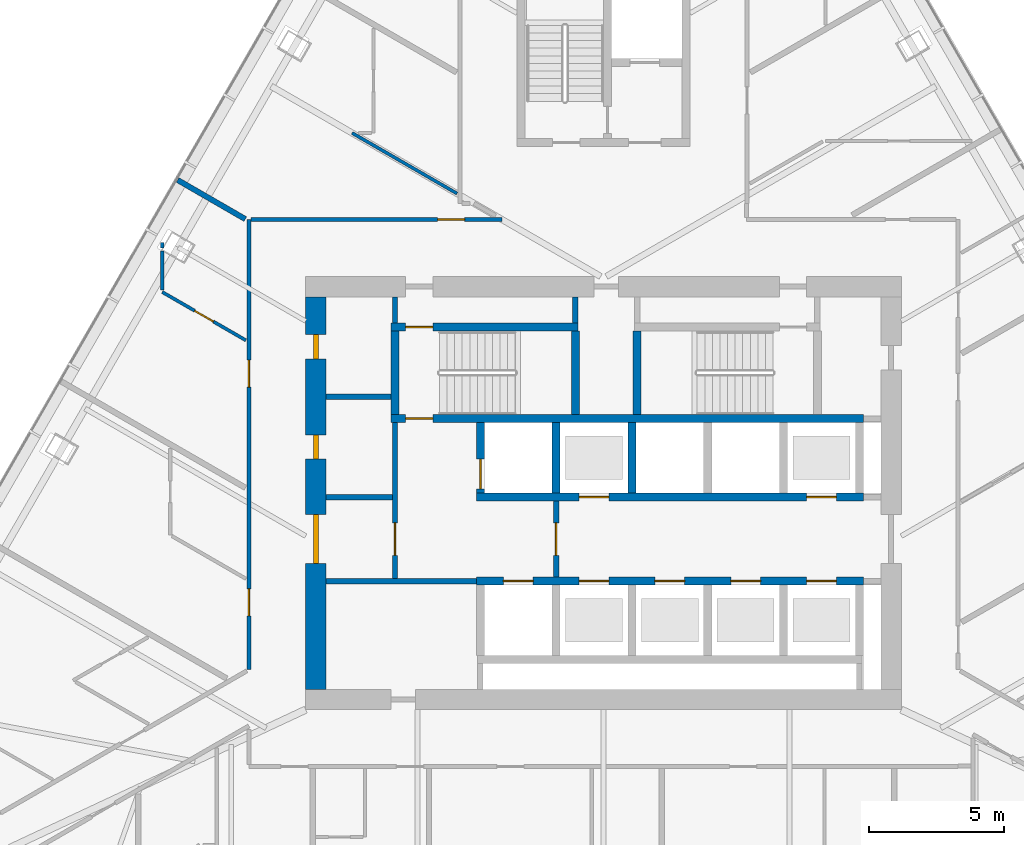
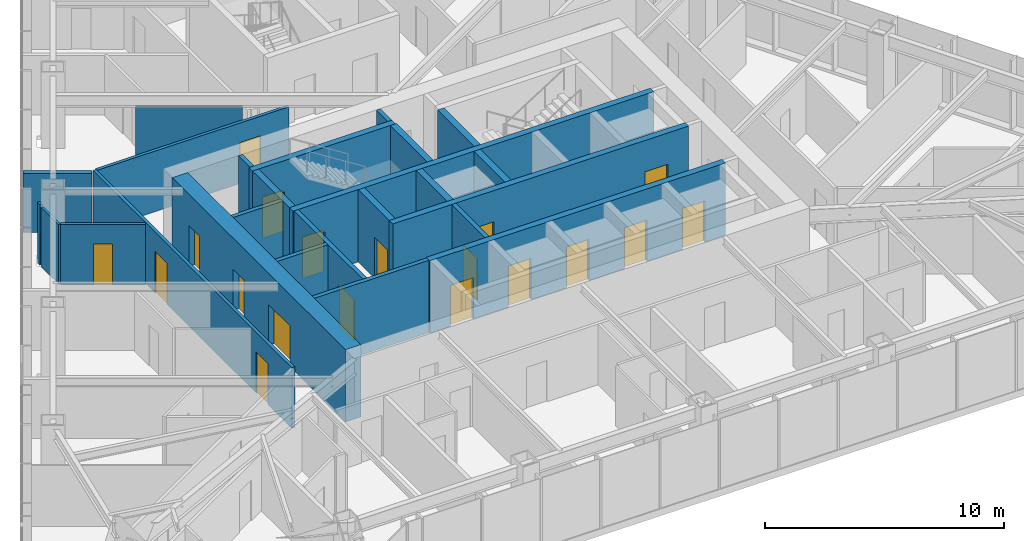
# One storey, part 11 of 16: 25 walls, 19 doors, 19 openings.
"""IFC4 building model written with IfcOpenShell, lengths in metres."""

from ifc_helpers import new_model, si_unit, direction, frame, frame_2d, origin, place, context, subcontext, project, spatial, rectangle, extrude, material, layer, layer_set, type_object, element, fill, save


model = new_model("IFC4")

# Units and contexts
model_context = context("Model", 3, precision=1e-05, world=origin(), true_north=direction((0.0, 1.0)))
body_context = subcontext(model_context, "Body", "Model", "MODEL_VIEW")
ifc_project = project(units=[si_unit("LENGTHUNIT", "METRE"), si_unit("AREAUNIT", "SQUARE_METRE"), si_unit("VOLUMEUNIT", "CUBIC_METRE"), si_unit("PLANEANGLEUNIT", "RADIAN"), si_unit("MASSUNIT", "GRAM", prefix="KILO")], contexts=[model_context])

# Site, building, storey
site_placement = place(None, origin())
site = spatial("IfcSite", under=ifc_project, at=site_placement, CompositionType="ELEMENT")
building_placement = place(site_placement, origin())
building = spatial("IfcBuilding", under=site, at=building_placement, Name="Firuza Gate Tower and Library", CompositionType="ELEMENT")
storey_placement = place(building_placement, frame((0.0, 0.0, 198.699951171875)))
storey = spatial("IfcBuildingStorey", under=building, at=storey_placement, Name="L46", CompositionType="ELEMENT", Elevation=198.699951171875)

# Walls
ifc_material_1 = material(Name="Plasterboard on steel studs", Category="steel")
ifc_layer_1 = layer(ifc_material_1, 0.199951171875)
ifc_layer_set_1 = layer_set([ifc_layer_1], Name="Core partition 200 EI 120")
wall_type_1 = type_object("IfcWallType", Name="Core partition 200 EI 120", PredefinedType="PARTITIONING", material=ifc_layer_set_1)
wall_1_placement = place(storey_placement, frame((64.75, 71.75, 0.0), z_axis=(0.0, 0.0, 1.0), x_axis=(1.0, 0.0, 0.0)))
element("IfcWall", 1, at=wall_1_placement, inside=storey, type_object=wall_type_1, Name="Core partition L46 1", PredefinedType="PARTITIONING", context=body_context, shape_type="SweptSolid", body=[
    extrude(rectangle(XDim=5.550048828125, YDim=0.199951171875, at=frame_2d((2.77490234375, 0.0))), origin(), (0.0, 0.0, 1.0), 3.699951171875),
])
ifc_material_2 = material(Name="Plasterboard on steel studs", Category="steel")
ifc_layer_2 = layer(ifc_material_2, 0.199951171875)
ifc_layer_set_2 = layer_set([ifc_layer_2], Name="Core partition 200 EI 60")
wall_type_2 = type_object("IfcWallType", Name="Core partition 200 EI 60", PredefinedType="PARTITIONING", material=ifc_layer_set_2)
wall_2_placement = place(storey_placement, frame((64.75, 74.85009765625, 0.0), z_axis=(0.0, 0.0, 1.0), x_axis=(1.0, 0.0, 0.0)))
element("IfcWall", 2, at=wall_2_placement, inside=storey, type_object=wall_type_2, Name="Core partition L46 3", PredefinedType="PARTITIONING", context=body_context, shape_type="SweptSolid", body=[
    extrude(rectangle(XDim=2.449951171875, YDim=0.199951171875, at=frame_2d((1.22509765625, 0.0))), origin(), (0.0, 0.0, 1.0), 3.699951171875),
])
wall_3_placement = place(storey_placement, frame((64.75, 78.550048828125, 0.0), z_axis=(0.0, 0.0, 1.0), x_axis=(1.0, 0.0, 0.0)))
element("IfcWall", 3, at=wall_3_placement, inside=storey, type_object=wall_type_2, Name="Core partition L46 6", PredefinedType="PARTITIONING", context=body_context, shape_type="SweptSolid", body=[
    extrude(rectangle(XDim=2.39990234375, YDim=0.199951171875, at=frame_2d((1.199951171875, 0.0))), origin(), (0.0, 0.0, 1.0), 3.699951171875),
])

# Wall, opening, door
wall_4_placement = place(storey_placement, frame((67.300048828125, 71.85009765625, 0.0), z_axis=(0.0, 0.0, 1.0), x_axis=(0.0, 1.0, 0.0)))
wall_4 = element("IfcWall", 4, at=wall_4_placement, inside=storey, type_object=wall_type_2, Name="Core partition L46 7", PredefinedType="PARTITIONING", context=body_context, shape_type="SweptSolid", body=[
    extrude(rectangle(XDim=5.75, YDim=0.199951171875, at=frame_2d((2.875, 0.0))), origin(), (0.0, 0.0, 1.0), 3.699951171875),
])
opening_1_placement = place(wall_4_placement, frame((0.85009765625, 0.0, 0.0)))
opening_1 = element("IfcOpeningElement", 5, at=opening_1_placement, cuts=wall_4, Name="Opening L46-K19", PredefinedType="OPENING", context=body_context, shape_type="SweptSolid", body=[
    extrude(rectangle(XDim=1.199951171875, YDim=2.10009765625, at=frame_2d((0.60009765625, 1.050048828125))), frame((0.0, 0.10986328125, 0.0), z_axis=(0.0, -1.0, 0.0), x_axis=(1.0, 0.0, 0.0)), (0.0, 0.0, 1.0), 0.219970703125),
])
ifc_material_3 = material(Name="Steel", Category="steel")
door_type_1 = type_object("IfcDoorType", Name="Fire door 1200x2100 FD90S", OperationType="NOTDEFINED", PredefinedType="DOOR", material=ifc_material_3)
door_1_placement = place(opening_1_placement, origin())
door_1 = element("IfcDoor", 6, at=door_1_placement, inside=storey, type_object=door_type_1, Name="Door L46-K19", OperationType="SINGLE_SWING_RIGHT", OverallHeight=2.10009765625, OverallWidth=1.199951171875, PredefinedType="DOOR", context=body_context, shape_type="SweptSolid", body=[
    extrude(rectangle(XDim=1.199951171875, YDim=2.10009765625, at=frame_2d((0.60009765625, 1.050048828125))), frame((0.0, 0.02490234375, 0.0), z_axis=(0.0, -1.0, 0.0), x_axis=(1.0, 0.0, 0.0)), (0.0, 0.0, 1.0), 0.050048828125),
])
fill(opening_1, door_1)

# Wall
wall_5_placement = place(storey_placement, frame((67.300048828125, 81.280029296875, 0.0), z_axis=(0.0, 0.0, 1.0), x_axis=(0.0, 1.0, 0.0)))
element("IfcWall", 7, at=wall_5_placement, inside=storey, type_object=wall_type_2, Name="Core partition L46 8", PredefinedType="PARTITIONING", context=body_context, shape_type="SweptSolid", body=[
    extrude(rectangle(XDim=0.969970703125, YDim=0.199951171875, at=frame_2d((0.48486328125, 0.0))), origin(), (0.0, 0.0, 1.0), 3.699951171875),
])

# Wall, opening, door
wall_6_placement = place(storey_placement, frame((73.25, 71.89990234375, 0.0), z_axis=(0.0, 0.0, 1.0), x_axis=(0.0, 1.0, 0.0)))
wall_6 = element("IfcWall", 8, at=wall_6_placement, inside=storey, type_object=wall_type_2, Name="Core partition L46 10", PredefinedType="PARTITIONING", context=body_context, shape_type="SweptSolid", body=[
    extrude(rectangle(XDim=2.800048828125, YDim=0.199951171875, at=frame_2d((1.39990234375, 0.0))), origin(), (0.0, 0.0, 1.0), 3.699951171875),
])
opening_2_placement = place(wall_6_placement, frame((0.800048828125, 0.0, 0.0)))
opening_2 = element("IfcOpeningElement", 9, at=opening_2_placement, cuts=wall_6, Name="Opening L46-K18", PredefinedType="OPENING", context=body_context, shape_type="SweptSolid", body=[
    extrude(rectangle(XDim=1.199951171875, YDim=2.10009765625, at=frame_2d((0.60009765625, 1.050048828125))), frame((0.0, 0.10986328125, 0.0), z_axis=(0.0, -1.0, 0.0), x_axis=(1.0, 0.0, 0.0)), (0.0, 0.0, 1.0), 0.219970703125),
])
door_2_placement = place(opening_2_placement, origin())
door_2 = element("IfcDoor", 10, at=door_2_placement, inside=storey, type_object=door_type_1, Name="Door L46-K18", OperationType="SINGLE_SWING_LEFT", OverallHeight=2.10009765625, OverallWidth=1.199951171875, PredefinedType="DOOR", context=body_context, shape_type="SweptSolid", body=[
    extrude(rectangle(XDim=1.199951171875, YDim=2.10009765625, at=frame_2d((0.60009765625, 1.050048828125))), frame((0.0, 0.02490234375, 0.0), z_axis=(0.0, -1.0, 0.0), x_axis=(1.0, 0.0, 0.0)), (0.0, 0.0, 1.0), 0.050048828125),
])
fill(opening_2, door_2)

# Wall
wall_7_placement = place(storey_placement, frame((73.9599609375, 81.280029296875, 0.0), z_axis=(0.0, 0.0, 1.0), x_axis=(0.0, 1.0, 0.0)))
element("IfcWall", 11, at=wall_7_placement, inside=storey, type_object=wall_type_2, Name="Core partition L46 11", PredefinedType="PARTITIONING", context=body_context, shape_type="SweptSolid", body=[
    extrude(rectangle(XDim=0.969970703125, YDim=0.199951171875, at=frame_2d((0.48486328125, 0.0))), origin(), (0.0, 0.0, 1.0), 3.699951171875),
])

# Wall, openings, doors
ifc_material_4 = material(Name="Concrete C80/95", Category="concrete")
ifc_layer_3 = layer(ifc_material_4, 0.300048828125)
ifc_layer_set_3 = layer_set([ifc_layer_3], Name="Core wall 300 C80/95")
wall_type_3 = type_object("IfcWallType", Name="Core wall 300 C80/95", PredefinedType="SHEAR", material=ifc_layer_set_3)
wall_8_placement = place(storey_placement, frame((70.300048828125, 71.75, 0.0), z_axis=(0.0, 0.0, 1.0), x_axis=(1.0, 0.0, 0.0)))
wall_8 = element("IfcWall", 12, at=wall_8_placement, inside=storey, type_object=wall_type_3, Name="Core wall L46 6", PredefinedType="SHEAR", context=body_context, shape_type="SweptSolid", body=[
    extrude(rectangle(XDim=14.300048828125, YDim=0.300048828125, at=frame_2d((7.14990234375, 0.0))), origin(), (0.0, 0.0, 1.0), 3.699951171875),
])
opening_3_placement = place(wall_8_placement, frame((1.0, 0.0, 0.0)))
opening_3 = element("IfcOpeningElement", 13, at=opening_3_placement, cuts=wall_8, Name="Opening LD-FF1-L46", PredefinedType="OPENING", context=body_context, shape_type="SweptSolid", body=[
    extrude(rectangle(XDim=1.10009765625, YDim=2.10009765625, at=frame_2d((0.550048828125, 1.050048828125))), frame((0.0, 0.16015625, 0.0), z_axis=(0.0, -1.0, 0.0), x_axis=(1.0, 0.0, 0.0)), (0.0, 0.0, 1.0), 0.320068359375),
])
opening_4_placement = place(wall_8_placement, frame((3.800048828125, 0.0, 0.0)))
opening_4 = element("IfcOpeningElement", 14, at=opening_4_placement, cuts=wall_8, Name="Opening LD-MR1-L46", PredefinedType="OPENING", context=body_context, shape_type="SweptSolid", body=[
    extrude(rectangle(XDim=1.10009765625, YDim=2.10009765625, at=frame_2d((0.550048828125, 1.050048828125))), frame((0.0, 0.16015625, 0.0), z_axis=(0.0, -1.0, 0.0), x_axis=(1.0, 0.0, 0.0)), (0.0, 0.0, 1.0), 0.320068359375),
])
opening_5_placement = place(wall_8_placement, frame((6.60009765625, 0.0, 0.0)))
opening_5 = element("IfcOpeningElement", 15, at=opening_5_placement, cuts=wall_8, Name="Opening LD-MR2-L46", PredefinedType="OPENING", context=body_context, shape_type="SweptSolid", body=[
    extrude(rectangle(XDim=1.10009765625, YDim=2.10009765625, at=frame_2d((0.550048828125, 1.050048828125))), frame((0.0, 0.16015625, 0.0), z_axis=(0.0, -1.0, 0.0), x_axis=(1.0, 0.0, 0.0)), (0.0, 0.0, 1.0), 0.320068359375),
])
opening_6_placement = place(wall_8_placement, frame((9.39990234375, 0.0, 0.0)))
opening_6 = element("IfcOpeningElement", 16, at=opening_6_placement, cuts=wall_8, Name="Opening LD-MR3-L46", PredefinedType="OPENING", context=body_context, shape_type="SweptSolid", body=[
    extrude(rectangle(XDim=1.10009765625, YDim=2.10009765625, at=frame_2d((0.550048828125, 1.050048828125))), frame((0.0, 0.16015625, 0.0), z_axis=(0.0, -1.0, 0.0), x_axis=(1.0, 0.0, 0.0)), (0.0, 0.0, 1.0), 0.320068359375),
])
opening_7_placement = place(wall_8_placement, frame((12.199951171875, 0.0, 0.0)))
opening_7 = element("IfcOpeningElement", 17, at=opening_7_placement, cuts=wall_8, Name="Opening LD-MR5-L46", PredefinedType="OPENING", context=body_context, shape_type="SweptSolid", body=[
    extrude(rectangle(XDim=1.10009765625, YDim=2.10009765625, at=frame_2d((0.550048828125, 1.050048828125))), frame((0.0, 0.16015625, 0.0), z_axis=(0.0, -1.0, 0.0), x_axis=(1.0, 0.0, 0.0)), (0.0, 0.0, 1.0), 0.320068359375),
])
ifc_material_5 = material(Name="Stainless steel", Category="steel")
door_type_2 = type_object("IfcDoorType", Name="Lift landing door 1100x2100", OperationType="DOUBLE_DOOR_SLIDING", PredefinedType="DOOR", material=ifc_material_5)
door_3_placement = place(opening_3_placement, origin())
door_3 = element("IfcDoor", 18, at=door_3_placement, inside=storey, type_object=door_type_2, Name="Landing door FF1 L46", OperationType="DOUBLE_DOOR_SLIDING", OverallHeight=2.10009765625, OverallWidth=1.10009765625, PredefinedType="DOOR", context=body_context, shape_type="SweptSolid", body=[
    extrude(rectangle(XDim=1.10009765625, YDim=2.10009765625, at=frame_2d((0.550048828125, 1.050048828125))), frame((0.0, 0.02490234375, 0.0), z_axis=(0.0, -1.0, 0.0), x_axis=(1.0, 0.0, 0.0)), (0.0, 0.0, 1.0), 0.050048828125),
])
fill(opening_3, door_3)
door_4_placement = place(opening_4_placement, origin())
door_4 = element("IfcDoor", 19, at=door_4_placement, inside=storey, type_object=door_type_2, Name="Landing door MR1 L46", OperationType="DOUBLE_DOOR_SLIDING", OverallHeight=2.10009765625, OverallWidth=1.10009765625, PredefinedType="DOOR", context=body_context, shape_type="SweptSolid", body=[
    extrude(rectangle(XDim=1.10009765625, YDim=2.10009765625, at=frame_2d((0.550048828125, 1.050048828125))), frame((0.0, 0.02490234375, 0.0), z_axis=(0.0, -1.0, 0.0), x_axis=(1.0, 0.0, 0.0)), (0.0, 0.0, 1.0), 0.050048828125),
])
fill(opening_4, door_4)
door_5_placement = place(opening_5_placement, origin())
door_5 = element("IfcDoor", 20, at=door_5_placement, inside=storey, type_object=door_type_2, Name="Landing door MR2 L46", OperationType="DOUBLE_DOOR_SLIDING", OverallHeight=2.10009765625, OverallWidth=1.10009765625, PredefinedType="DOOR", context=body_context, shape_type="SweptSolid", body=[
    extrude(rectangle(XDim=1.10009765625, YDim=2.10009765625, at=frame_2d((0.550048828125, 1.050048828125))), frame((0.0, 0.02490234375, 0.0), z_axis=(0.0, -1.0, 0.0), x_axis=(1.0, 0.0, 0.0)), (0.0, 0.0, 1.0), 0.050048828125),
])
fill(opening_5, door_5)
door_6_placement = place(opening_6_placement, origin())
door_6 = element("IfcDoor", 21, at=door_6_placement, inside=storey, type_object=door_type_2, Name="Landing door MR3 L46", OperationType="DOUBLE_DOOR_SLIDING", OverallHeight=2.10009765625, OverallWidth=1.10009765625, PredefinedType="DOOR", context=body_context, shape_type="SweptSolid", body=[
    extrude(rectangle(XDim=1.10009765625, YDim=2.10009765625, at=frame_2d((0.550048828125, 1.050048828125))), frame((0.0, 0.02490234375, 0.0), z_axis=(0.0, -1.0, 0.0), x_axis=(1.0, 0.0, 0.0)), (0.0, 0.0, 1.0), 0.050048828125),
])
fill(opening_6, door_6)
door_7_placement = place(opening_7_placement, origin())
door_7 = element("IfcDoor", 22, at=door_7_placement, inside=storey, type_object=door_type_2, Name="Landing door MR5 L46", OperationType="DOUBLE_DOOR_SLIDING", OverallHeight=2.10009765625, OverallWidth=1.10009765625, PredefinedType="DOOR", context=body_context, shape_type="SweptSolid", body=[
    extrude(rectangle(XDim=1.10009765625, YDim=2.10009765625, at=frame_2d((0.550048828125, 1.050048828125))), frame((0.0, 0.02490234375, 0.0), z_axis=(0.0, -1.0, 0.0), x_axis=(1.0, 0.0, 0.0)), (0.0, 0.0, 1.0), 0.050048828125),
])
fill(opening_7, door_7)

wall_9_placement = place(storey_placement, frame((70.300048828125, 74.85009765625, 0.0), z_axis=(0.0, 0.0, 1.0), x_axis=(1.0, 0.0, 0.0)))
wall_9 = element("IfcWall", 23, at=wall_9_placement, inside=storey, type_object=wall_type_3, Name="Core wall L46 7", PredefinedType="SHEAR", context=body_context, shape_type="SweptSolid", body=[
    extrude(rectangle(XDim=14.300048828125, YDim=0.300048828125, at=frame_2d((7.14990234375, 0.0))), origin(), (0.0, 0.0, 1.0), 3.699951171875),
])
opening_8_placement = place(wall_9_placement, frame((3.800048828125, 0.0, 0.0)))
opening_8 = element("IfcOpeningElement", 24, at=opening_8_placement, cuts=wall_9, Name="Opening LD-MR4-L46", PredefinedType="OPENING", context=body_context, shape_type="SweptSolid", body=[
    extrude(rectangle(XDim=1.10009765625, YDim=2.10009765625, at=frame_2d((0.550048828125, 1.050048828125))), frame((0.0, 0.16015625, 0.0), z_axis=(0.0, -1.0, 0.0), x_axis=(1.0, 0.0, 0.0)), (0.0, 0.0, 1.0), 0.320068359375),
])
opening_9_placement = place(wall_9_placement, frame((12.199951171875, 0.0, 0.0)))
opening_9 = element("IfcOpeningElement", 25, at=opening_9_placement, cuts=wall_9, Name="Opening LD-MR6-L46", PredefinedType="OPENING", context=body_context, shape_type="SweptSolid", body=[
    extrude(rectangle(XDim=1.10009765625, YDim=2.10009765625, at=frame_2d((0.550048828125, 1.050048828125))), frame((0.0, 0.16015625, 0.0), z_axis=(0.0, -1.0, 0.0), x_axis=(1.0, 0.0, 0.0)), (0.0, 0.0, 1.0), 0.320068359375),
])
door_8_placement = place(opening_8_placement, origin())
door_8 = element("IfcDoor", 26, at=door_8_placement, inside=storey, type_object=door_type_2, Name="Landing door MR4 L46", OperationType="DOUBLE_DOOR_SLIDING", OverallHeight=2.10009765625, OverallWidth=1.10009765625, PredefinedType="DOOR", context=body_context, shape_type="SweptSolid", body=[
    extrude(rectangle(XDim=1.10009765625, YDim=2.10009765625, at=frame_2d((0.550048828125, 1.050048828125))), frame((0.0, 0.02490234375, 0.0), z_axis=(0.0, -1.0, 0.0), x_axis=(1.0, 0.0, 0.0)), (0.0, 0.0, 1.0), 0.050048828125),
])
fill(opening_8, door_8)
door_9_placement = place(opening_9_placement, origin())
door_9 = element("IfcDoor", 27, at=door_9_placement, inside=storey, type_object=door_type_2, Name="Landing door MR6 L46", OperationType="DOUBLE_DOOR_SLIDING", OverallHeight=2.10009765625, OverallWidth=1.10009765625, PredefinedType="DOOR", context=body_context, shape_type="SweptSolid", body=[
    extrude(rectangle(XDim=1.10009765625, YDim=2.10009765625, at=frame_2d((0.550048828125, 1.050048828125))), frame((0.0, 0.02490234375, 0.0), z_axis=(0.0, -1.0, 0.0), x_axis=(1.0, 0.0, 0.0)), (0.0, 0.0, 1.0), 0.050048828125),
])
fill(opening_9, door_9)

# Wall, opening, door
wall_10_placement = place(storey_placement, frame((70.449951171875, 75.0, 0.0), z_axis=(0.0, 0.0, 1.0), x_axis=(0.0, 1.0, 0.0)))
wall_10 = element("IfcWall", 28, at=wall_10_placement, inside=storey, type_object=wall_type_3, Name="Core wall L46 9", PredefinedType="SHEAR", context=body_context, shape_type="SweptSolid", body=[
    extrude(rectangle(XDim=2.60009765625, YDim=0.300048828125, at=frame_2d((1.300048828125, 0.0))), origin(), (0.0, 0.0, 1.0), 3.699951171875),
])
opening_10_placement = place(wall_10_placement, frame((0.14990234375, 0.0, 0.0)))
opening_10 = element("IfcOpeningElement", 29, at=opening_10_placement, cuts=wall_10, Name="Opening LD-FF2-L46", PredefinedType="OPENING", context=body_context, shape_type="SweptSolid", body=[
    extrude(rectangle(XDim=1.10009765625, YDim=2.10009765625, at=frame_2d((0.550048828125, 1.050048828125))), frame((0.0, 0.16015625, 0.0), z_axis=(0.0, -1.0, 0.0), x_axis=(1.0, 0.0, 0.0)), (0.0, 0.0, 1.0), 0.320068359375),
])
door_10_placement = place(opening_10_placement, origin())
door_10 = element("IfcDoor", 30, at=door_10_placement, inside=storey, type_object=door_type_2, Name="Landing door FF2 L46", OperationType="DOUBLE_DOOR_SLIDING", OverallHeight=2.10009765625, OverallWidth=1.10009765625, PredefinedType="DOOR", context=body_context, shape_type="SweptSolid", body=[
    extrude(rectangle(XDim=1.10009765625, YDim=2.10009765625, at=frame_2d((0.550048828125, 1.050048828125))), frame((0.0, 0.02490234375, 0.0), z_axis=(0.0, -1.0, 0.0), x_axis=(1.0, 0.0, 0.0)), (0.0, 0.0, 1.0), 0.050048828125),
])
fill(opening_10, door_10)

# Walls
for number, where, z_axis, x_axis, name in (
    (31, (73.25, 75.0, 0.0), (0.0, 0.0, 1.0), (0.0, 1.0, 0.0), "Core wall L46 11"),
    (32, (76.050048828125, 75.0, 0.0), (0.0, 0.0, 1.0), (0.0, 1.0, 0.0), "Core wall L46 13"),
):
    element("IfcWall", number, at=place(storey_placement, frame(where, z_axis=z_axis, x_axis=x_axis)), inside=storey, type_object=wall_type_3, Name=name, PredefinedType="SHEAR", context=body_context, shape_type="SweptSolid", body=[
        extrude(rectangle(XDim=2.60009765625, YDim=0.300048828125, at=frame_2d((1.300048828125, 0.0))), origin(), (0.0, 0.0, 1.0), 3.699951171875),
    ])

# Wall, opening, door
wall_11_placement = place(storey_placement, frame((67.14990234375, 77.75, 0.0), z_axis=(0.0, 0.0, 1.0), x_axis=(1.0, 0.0, 0.0)))
wall_11 = element("IfcWall", 33, at=wall_11_placement, inside=storey, type_object=wall_type_3, Name="Core wall L46 20", PredefinedType="SHEAR", context=body_context, shape_type="SweptSolid", body=[
    extrude(rectangle(XDim=17.4501953125, YDim=0.300048828125, at=frame_2d((8.72509765625, 0.0))), origin(), (0.0, 0.0, 1.0), 3.699951171875),
])
opening_11_placement = place(wall_11_placement, frame((0.544921875, 0.0, 0.0)))
opening_11 = element("IfcOpeningElement", 34, at=opening_11_placement, cuts=wall_11, Name="Opening L46-K10", PredefinedType="OPENING", context=body_context, shape_type="SweptSolid", body=[
    extrude(rectangle(XDim=1.0, YDim=2.10009765625, at=frame_2d((0.5, 1.050048828125))), frame((0.0, 0.16015625, 0.0), z_axis=(0.0, -1.0, 0.0), x_axis=(1.0, 0.0, 0.0)), (0.0, 0.0, 1.0), 0.320068359375),
])
ifc_material_6 = material(Name="Steel", Category="steel")
door_type_3 = type_object("IfcDoorType", Name="Fire door 1000x2100 FD90", OperationType="NOTDEFINED", PredefinedType="DOOR", material=ifc_material_6)
door_11_placement = place(opening_11_placement, origin())
door_11 = element("IfcDoor", 35, at=door_11_placement, inside=storey, type_object=door_type_3, Name="Door L46-K10", OperationType="SINGLE_SWING_LEFT", OverallHeight=2.10009765625, OverallWidth=1.0, PredefinedType="DOOR", context=body_context, shape_type="SweptSolid", body=[
    extrude(rectangle(XDim=1.0, YDim=2.10009765625, at=frame_2d((0.5, 1.050048828125))), frame((0.0, 0.02490234375, 0.0), z_axis=(0.0, -1.0, 0.0), x_axis=(1.0, 0.0, 0.0)), (0.0, 0.0, 1.0), 0.050048828125),
])
fill(opening_11, door_11)

wall_12_placement = place(storey_placement, frame((67.14990234375, 81.1298828125, 0.0), z_axis=(0.0, 0.0, 1.0), x_axis=(1.0, 0.0, 0.0)))
wall_12 = element("IfcWall", 36, at=wall_12_placement, inside=storey, type_object=wall_type_3, Name="Core wall L46 21", PredefinedType="SHEAR", context=body_context, shape_type="SweptSolid", body=[
    extrude(rectangle(XDim=6.91015625, YDim=0.300048828125, at=frame_2d((3.455078125, 0.0))), origin(), (0.0, 0.0, 1.0), 3.699951171875),
])
opening_12_placement = place(wall_12_placement, frame((0.544921875, 0.0, 0.0)))
opening_12 = element("IfcOpeningElement", 37, at=opening_12_placement, cuts=wall_12, Name="Opening L46-K11", PredefinedType="OPENING", context=body_context, shape_type="SweptSolid", body=[
    extrude(rectangle(XDim=1.0, YDim=2.10009765625, at=frame_2d((0.5, 1.050048828125))), frame((0.0, 0.16015625, 0.0), z_axis=(0.0, -1.0, 0.0), x_axis=(1.0, 0.0, 0.0)), (0.0, 0.0, 1.0), 0.320068359375),
])
door_12_placement = place(opening_12_placement, origin())
door_12 = element("IfcDoor", 38, at=door_12_placement, inside=storey, type_object=door_type_3, Name="Door L46-K11", OperationType="SINGLE_SWING_RIGHT", OverallHeight=2.10009765625, OverallWidth=1.0, PredefinedType="DOOR", context=body_context, shape_type="SweptSolid", body=[
    extrude(rectangle(XDim=1.0, YDim=2.10009765625, at=frame_2d((0.5, 1.050048828125))), frame((0.0, 0.02490234375, 0.0), z_axis=(0.0, -1.0, 0.0), x_axis=(1.0, 0.0, 0.0)), (0.0, 0.0, 1.0), 0.050048828125),
])
fill(opening_12, door_12)

# Walls
for number, where, z_axis, x_axis, name in (
    (39, (67.300048828125, 77.89990234375, 0.0), (0.0, 0.0, 1.0), (0.0, 1.0, 0.0), "Core wall L46 23"),
    (40, (73.9599609375, 77.89990234375, 0.0), (0.0, 0.0, 1.0), (0.0, 1.0, 0.0), "Core wall L46 24"),
    (41, (76.239990234375, 77.89990234375, 0.0), (0.0, 0.0, 1.0), (0.0, 1.0, 0.0), "Core wall L46 25"),
):
    element("IfcWall", number, at=place(storey_placement, frame(where, z_axis=z_axis, x_axis=x_axis)), inside=storey, type_object=wall_type_3, Name=name, PredefinedType="SHEAR", context=body_context, shape_type="SweptSolid", body=[
        extrude(rectangle(XDim=3.080078125, YDim=0.300048828125, at=frame_2d((1.5400390625, 0.0))), origin(), (0.0, 0.0, 1.0), 3.699951171875),
    ])

# Wall, openings, doors
ifc_material_7 = material(Name="Concrete C80/95", Category="concrete")
ifc_layer_4 = layer(ifc_material_7, 0.75)
ifc_layer_set_4 = layer_set([ifc_layer_4], Name="Core wall 750 C80/95")
wall_type_4 = type_object("IfcWallType", Name="Core wall 750 C80/95", PredefinedType="SHEAR", material=ifc_layer_set_4)
wall_13_placement = place(storey_placement, frame((64.375, 67.75, 0.0), z_axis=(0.0, 0.0, 1.0), x_axis=(0.0, 1.0, 0.0)))
wall_13 = element("IfcWall", 42, at=wall_13_placement, inside=storey, type_object=wall_type_4, Name="Core wall L46 3", PredefinedType="SHEAR", context=body_context, shape_type="SweptSolid", body=[
    extrude(rectangle(XDim=14.5, YDim=0.75, at=frame_2d((7.25, 0.0))), origin(), (0.0, 0.0, 1.0), 3.699951171875),
])
opening_13_placement = place(wall_13_placement, frame((4.64990234375, 0.0, 0.0)))
opening_13 = element("IfcOpeningElement", 43, at=opening_13_placement, cuts=wall_13, Name="Opening L46-K20", PredefinedType="OPENING", context=body_context, shape_type="SweptSolid", body=[
    extrude(rectangle(XDim=1.800048828125, YDim=2.10009765625, at=frame_2d((0.89990234375, 1.050048828125))), frame((0.0, 0.385009765625, 0.0), z_axis=(0.0, -1.0, 0.0), x_axis=(1.0, 0.0, 0.0)), (0.0, 0.0, 1.0), 0.77001953125),
])
opening_14_placement = place(wall_13_placement, frame((8.5, 0.0, 0.0)))
opening_14 = element("IfcOpeningElement", 44, at=opening_14_placement, cuts=wall_13, Name="Opening L46-K23", PredefinedType="OPENING", context=body_context, shape_type="SweptSolid", body=[
    extrude(rectangle(XDim=0.89990234375, YDim=2.10009765625, at=frame_2d((0.449951171875, 1.050048828125))), frame((0.0, 0.385009765625, 0.0), z_axis=(0.0, -1.0, 0.0), x_axis=(1.0, 0.0, 0.0)), (0.0, 0.0, 1.0), 0.77001953125),
])
opening_15_placement = place(wall_13_placement, frame((12.199951171875, 0.0, 0.0)))
opening_15 = element("IfcOpeningElement", 45, at=opening_15_placement, cuts=wall_13, Name="Opening L46-K24", PredefinedType="OPENING", context=body_context, shape_type="SweptSolid", body=[
    extrude(rectangle(XDim=0.89990234375, YDim=2.10009765625, at=frame_2d((0.449951171875, 1.050048828125))), frame((0.0, 0.385009765625, 0.0), z_axis=(0.0, -1.0, 0.0), x_axis=(1.0, 0.0, 0.0)), (0.0, 0.0, 1.0), 0.77001953125),
])
ifc_material_8 = material(Name="Steel", Category="steel")
door_type_4 = type_object("IfcDoorType", Name="Fire door 1800x2100 FD30S", OperationType="NOTDEFINED", PredefinedType="DOOR", material=ifc_material_8)
door_13_placement = place(opening_13_placement, origin())
door_13 = element("IfcDoor", 46, at=door_13_placement, inside=storey, type_object=door_type_4, Name="Door L46-K20", OperationType="SINGLE_SWING_LEFT", OverallHeight=2.10009765625, OverallWidth=1.800048828125, PredefinedType="DOOR", context=body_context, shape_type="SweptSolid", body=[
    extrude(rectangle(XDim=1.800048828125, YDim=2.10009765625, at=frame_2d((0.89990234375, 1.050048828125))), frame((0.0, 0.094970703125, 0.0), z_axis=(0.0, -1.0, 0.0), x_axis=(1.0, 0.0, 0.0)), (0.0, 0.0, 1.0), 0.18994140625),
])
fill(opening_13, door_13)
ifc_material_9 = material(Name="Steel", Category="steel")
door_type_5 = type_object("IfcDoorType", Name="Fire door 900x2100 FD30S", OperationType="NOTDEFINED", PredefinedType="DOOR", material=ifc_material_9)
door_14_placement = place(opening_14_placement, origin())
door_14 = element("IfcDoor", 47, at=door_14_placement, inside=storey, type_object=door_type_5, Name="Door L46-K23", OperationType="SINGLE_SWING_RIGHT", OverallHeight=2.10009765625, OverallWidth=0.89990234375, PredefinedType="DOOR", context=body_context, shape_type="SweptSolid", body=[
    extrude(rectangle(XDim=0.89990234375, YDim=2.10009765625, at=frame_2d((0.449951171875, 1.050048828125))), frame((0.0, 0.094970703125, 0.0), z_axis=(0.0, -1.0, 0.0), x_axis=(1.0, 0.0, 0.0)), (0.0, 0.0, 1.0), 0.18994140625),
])
fill(opening_14, door_14)
door_15_placement = place(opening_15_placement, origin())
door_15 = element("IfcDoor", 48, at=door_15_placement, inside=storey, type_object=door_type_5, Name="Door L46-K24", OperationType="SINGLE_SWING_LEFT", OverallHeight=2.10009765625, OverallWidth=0.89990234375, PredefinedType="DOOR", context=body_context, shape_type="SweptSolid", body=[
    extrude(rectangle(XDim=0.89990234375, YDim=2.10009765625, at=frame_2d((0.449951171875, 1.050048828125))), frame((0.0, 0.094970703125, 0.0), z_axis=(0.0, -1.0, 0.0), x_axis=(1.0, 0.0, 0.0)), (0.0, 0.0, 1.0), 0.18994140625),
])
fill(opening_15, door_15)

# Wall, opening, door
ifc_material_10 = material(Name="Gypsum board partition")
ifc_layer_5 = layer(ifc_material_10, 0.14990234375)
ifc_layer_set_5 = layer_set([ifc_layer_5], Name="Corridor wall 150 double board on steel studs")
wall_type_5 = type_object("IfcWallType", Name="Corridor wall 150 double board on steel studs", PredefinedType="PARTITIONING", material=ifc_layer_set_5)
wall_14_placement = place(storey_placement, frame((61.9755859375, 85.10009765625, 0.0), z_axis=(0.0, 0.0, 1.0), x_axis=(1.0, 0.0, 0.0)))
wall_14 = element("IfcWall", 49, at=wall_14_placement, inside=storey, type_object=wall_type_5, Name="f:L46:w009", PredefinedType="PARTITIONING", context=body_context, shape_type="SweptSolid", body=[
    extrude(rectangle(XDim=9.28076171875, YDim=0.14990234375, at=frame_2d((4.640380859375, 0.0))), origin(), (0.0, 0.0, 1.0), 3.09716796875),
])
opening_16_placement = place(wall_14_placement, frame((6.898681640625, 0.0, 0.0)))
opening_16 = element("IfcOpeningElement", 50, at=opening_16_placement, cuts=wall_14, Name="Opening L46-09", PredefinedType="OPENING", context=body_context, shape_type="SweptSolid", body=[
    extrude(rectangle(XDim=1.0, YDim=2.10009765625, at=frame_2d((0.5, 1.050048828125))), frame((0.0, 0.0849609375, 0.0), z_axis=(0.0, -1.0, 0.0), x_axis=(1.0, 0.0, 0.0)), (0.0, 0.0, 1.0), 0.169921875),
])
ifc_material_11 = material(Name="Steel door and timber leaf", Category="steel")
door_type_6 = type_object("IfcDoorType", Name="Fire door 1000 x 2100 steel frame, timber leaf", OperationType="NOTDEFINED", PredefinedType="DOOR", material=ifc_material_11)
door_16_placement = place(opening_16_placement, origin())
door_16 = element("IfcDoor", 51, at=door_16_placement, inside=storey, type_object=door_type_6, Name="f:L46:d009", OperationType="SINGLE_SWING_RIGHT", OverallHeight=2.10009765625, OverallWidth=1.0, PredefinedType="DOOR", context=body_context, shape_type="SweptSolid", body=[
    extrude(rectangle(XDim=1.0, YDim=2.10009765625, at=frame_2d((0.5, 1.050048828125))), frame((0.0, 0.02490234375, 0.0), z_axis=(0.0, -1.0, 0.0), x_axis=(1.0, 0.0, 0.0)), (0.0, 0.0, 1.0), 0.050048828125),
])
fill(opening_16, door_16)

# Wall, openings, doors
wall_15_placement = place(storey_placement, frame((61.89990234375, 68.47607421875, 0.0), z_axis=(0.0, 0.0, 1.0), x_axis=(0.0, 1.0, 0.0)))
wall_15 = element("IfcWall", 52, at=wall_15_placement, inside=storey, type_object=wall_type_5, Name="f:L46:w064", PredefinedType="PARTITIONING", context=body_context, shape_type="SweptSolid", body=[
    extrude(rectangle(XDim=16.62353515625, YDim=0.14990234375, at=frame_2d((8.311767578125, 0.0))), origin(), (0.0, 0.0, 1.0), 3.10009765625),
])
opening_17_placement = place(wall_15_placement, frame((1.984375, 0.0, 0.0)))
opening_17 = element("IfcOpeningElement", 53, at=opening_17_placement, cuts=wall_15, Name="Opening L46-33", PredefinedType="OPENING", context=body_context, shape_type="SweptSolid", body=[
    extrude(rectangle(XDim=1.0, YDim=2.10009765625, at=frame_2d((0.5, 1.050048828125))), frame((0.0, 0.0849609375, 0.0), z_axis=(0.0, -1.0, 0.0), x_axis=(1.0, 0.0, 0.0)), (0.0, 0.0, 1.0), 0.169921875),
])
opening_18_placement = place(wall_15_placement, frame((10.4365234375, 0.0, 0.0)))
opening_18 = element("IfcOpeningElement", 54, at=opening_18_placement, cuts=wall_15, Name="Opening L46-34", PredefinedType="OPENING", context=body_context, shape_type="SweptSolid", body=[
    extrude(rectangle(XDim=1.0, YDim=2.10009765625, at=frame_2d((0.5, 1.050048828125))), frame((0.0, 0.0849609375, 0.0), z_axis=(0.0, -1.0, 0.0), x_axis=(1.0, 0.0, 0.0)), (0.0, 0.0, 1.0), 0.169921875),
])
door_17_placement = place(opening_17_placement, origin())
door_17 = element("IfcDoor", 55, at=door_17_placement, inside=storey, type_object=door_type_6, Name="f:L46:d033", OperationType="SINGLE_SWING_RIGHT", OverallHeight=2.10009765625, OverallWidth=1.0, PredefinedType="DOOR", context=body_context, shape_type="SweptSolid", body=[
    extrude(rectangle(XDim=1.0, YDim=2.10009765625, at=frame_2d((0.5, 1.050048828125))), frame((0.0, 0.02490234375, 0.0), z_axis=(0.0, -1.0, 0.0), x_axis=(1.0, 0.0, 0.0)), (0.0, 0.0, 1.0), 0.050048828125),
])
fill(opening_17, door_17)
door_18_placement = place(opening_18_placement, origin())
door_18 = element("IfcDoor", 56, at=door_18_placement, inside=storey, type_object=door_type_6, Name="f:L46:d034", OperationType="SINGLE_SWING_RIGHT", OverallHeight=2.10009765625, OverallWidth=1.0, PredefinedType="DOOR", context=body_context, shape_type="SweptSolid", body=[
    extrude(rectangle(XDim=1.0, YDim=2.10009765625, at=frame_2d((0.5, 1.050048828125))), frame((0.0, 0.02490234375, 0.0), z_axis=(0.0, -1.0, 0.0), x_axis=(1.0, 0.0, 0.0)), (0.0, 0.0, 1.0), 0.050048828125),
])
fill(opening_18, door_18)

# Walls
ifc_material_12 = material(Name="Gypsum board partition")
ifc_layer_6 = layer(ifc_material_12, 0.199951171875)
ifc_layer_set_6 = layer_set([ifc_layer_6], Name="Demising wall 200 acoustic double stud")
wall_type_6 = type_object("IfcWallType", Name="Demising wall 200 acoustic double stud", PredefinedType="PARTITIONING", material=ifc_layer_set_6)
wall_16_placement = place(storey_placement, frame((61.77001953125, 85.118896484375, 0.0), z_axis=(0.0, 0.0, 1.0), x_axis=(-0.866026331101, 0.499998393838, 0.0)))
element("IfcWall", 57, at=wall_16_placement, inside=storey, type_object=wall_type_6, Name="f:L46:w084", PredefinedType="PARTITIONING", context=body_context, shape_type="SweptSolid", body=[
    extrude(rectangle(XDim=2.884765625, YDim=0.199951171875, at=frame_2d((1.4423828125, 0.0))), origin(), (0.0, 0.0, 1.0), 3.02197265625),
])
ifc_material_13 = material(Name="Gypsum board partition")
ifc_layer_7 = layer(ifc_material_13, 0.1201171875)
ifc_layer_set_7 = layer_set([ifc_layer_7], Name="Wet-area partition 120 moisture-resistant board")
wall_type_7 = type_object("IfcWallType", Name="Wet-area partition 120 moisture-resistant board", PredefinedType="PARTITIONING", material=ifc_layer_set_7)
wall_17_placement = place(storey_placement, frame((58.699951171875, 82.495361328125, 0.0), z_axis=(0.0, 0.0, 1.0), x_axis=(0.0, 1.0, 0.0)))
element("IfcWall", 58, at=wall_17_placement, inside=storey, type_object=wall_type_7, Name="f:L46:w067", PredefinedType="PARTITIONING", context=body_context, shape_type="SweptSolid", body=[
    extrude(rectangle(XDim=1.453369140625, YDim=0.1201171875, at=frame_2d((0.7265625, 0.0))), origin(), (0.0, 0.0, 1.0), 3.02197265625),
])
wall_18_placement = place(storey_placement, frame((58.699951171875, 84.051025390625, 0.0), z_axis=(0.0, 0.0, 1.0), x_axis=(0.0, 1.0, 0.0)))
element("IfcWall", 59, at=wall_18_placement, inside=storey, type_object=wall_type_7, Name="f:L46:w068", PredefinedType="PARTITIONING", context=body_context, shape_type="SweptSolid", body=[
    extrude(rectangle(XDim=0.199951171875, YDim=0.1201171875, at=frame_2d((0.10009765625, 0.0))), origin(), (0.0, 0.0, 1.0), 3.10009765625),
])
wall_19_placement = place(storey_placement, frame((69.59033203125, 86.06201171875, 0.0), z_axis=(0.0, 0.0, 1.0), x_axis=(-0.866029361473, 0.49999314502, 0.0)))
element("IfcWall", 60, at=wall_19_placement, inside=storey, type_object=wall_type_7, Name="f:L46:w080", PredefinedType="PARTITIONING", context=body_context, shape_type="SweptSolid", body=[
    extrude(rectangle(XDim=4.47607421875, YDim=0.1201171875, at=frame_2d((2.238037109375, 0.0))), origin(), (0.0, 0.0, 1.0), 3.09716796875),
])

# Wall, opening, door
wall_20_placement = place(storey_placement, frame((58.699951171875, 82.426025390625, 0.0), z_axis=(0.0, 0.0, 1.0), x_axis=(0.866028357664, -0.499994883695, 0.0)))
wall_20 = element("IfcWall", 61, at=wall_20_placement, inside=storey, type_object=wall_type_7, Name="f:L46:w088", PredefinedType="PARTITIONING", context=body_context, shape_type="SweptSolid", body=[
    extrude(rectangle(XDim=3.568359375, YDim=0.1201171875, at=frame_2d((1.7841796875, 0.0))), origin(), (0.0, 0.0, 1.0), 3.10009765625),
])
opening_19_placement = place(wall_20_placement, frame((1.38427734375, 0.0, 0.0)))
opening_19 = element("IfcOpeningElement", 62, at=opening_19_placement, cuts=wall_20, Name="Opening L46-44", PredefinedType="OPENING", context=body_context, shape_type="SweptSolid", body=[
    extrude(rectangle(XDim=0.800048828125, YDim=2.10009765625, at=frame_2d((0.39990234375, 1.050048828125))), frame((0.0, 0.070068359375, 0.0), z_axis=(0.0, -1.0, 0.0), x_axis=(1.0, 0.0, 0.0)), (0.0, 0.0, 1.0), 0.14013671875),
])
ifc_material_14 = material(Name="Timber door", Category="wood")
door_type_7 = type_object("IfcDoorType", Name="Door 800 x 2100 timber leaf", OperationType="NOTDEFINED", PredefinedType="DOOR", material=ifc_material_14)
door_19_placement = place(opening_19_placement, origin())
door_19 = element("IfcDoor", 63, at=door_19_placement, inside=storey, type_object=door_type_7, Name="f:L46:d044", OperationType="SINGLE_SWING_RIGHT", OverallHeight=2.10009765625, OverallWidth=0.800048828125, PredefinedType="DOOR", context=body_context, shape_type="SweptSolid", body=[
    extrude(rectangle(XDim=0.800048828125, YDim=2.10009765625, at=frame_2d((0.39990234375, 1.050048828125))), frame((0.0, 0.02490234375, 0.0), z_axis=(0.0, -1.0, 0.0), x_axis=(1.0, 0.0, 0.0)), (0.0, 0.0, 1.0), 0.050048828125),
])
fill(opening_19, door_19)

save(model, "model.ifc")
